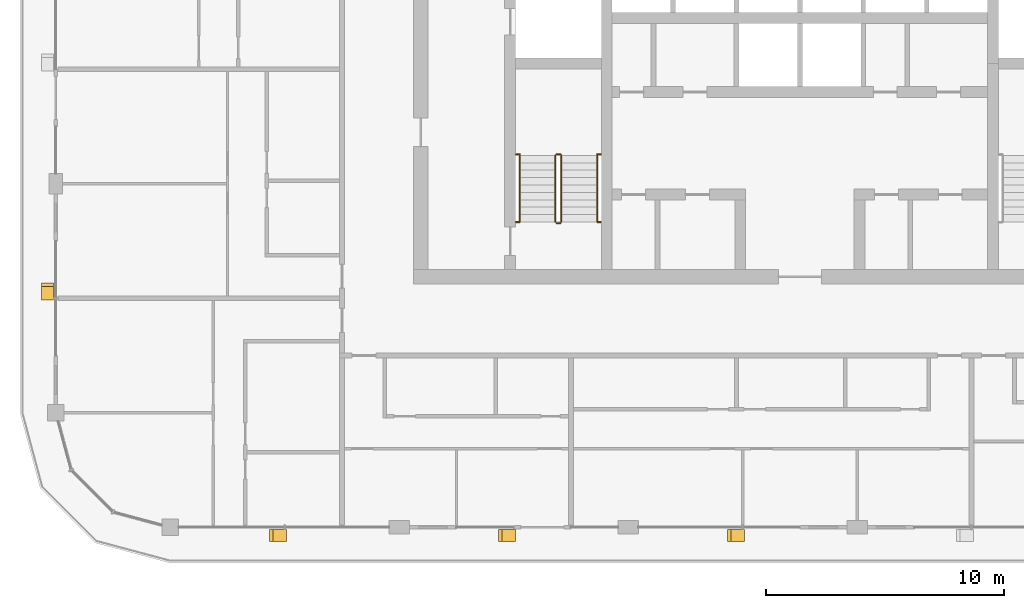
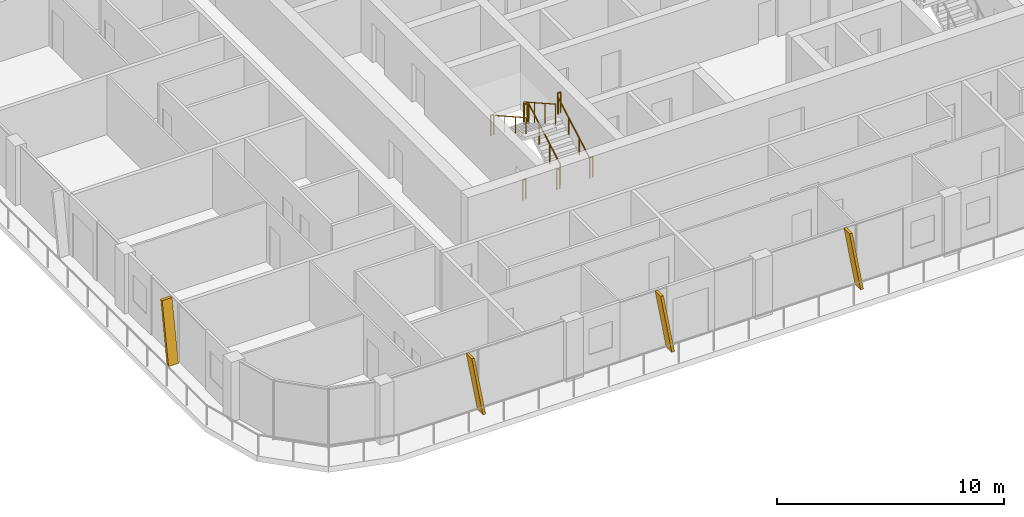
# One storey, part 17 of 22: 10 railings, 4 shading devices.
"""IFC4 building model written with IfcOpenShell, lengths in metres."""

from ifc_helpers import new_model, si_unit, direction, frame, origin, origin_2d, place, context, subcontext, project, spatial, polyline, circle, outline, extrude, material, type_object, element, save


model = new_model("IFC4")

# Units and contexts
model_context = context("Model", 3, precision=1e-05, world=origin(), true_north=direction((0.0, 1.0)))
body_context = subcontext(model_context, "Body", "Model", "MODEL_VIEW")
ifc_project = project(units=[si_unit("LENGTHUNIT", "METRE"), si_unit("AREAUNIT", "SQUARE_METRE"), si_unit("VOLUMEUNIT", "CUBIC_METRE"), si_unit("PLANEANGLEUNIT", "RADIAN"), si_unit("MASSUNIT", "GRAM", prefix="KILO")], contexts=[model_context])

# Site, building, storey
site_placement = place(None, origin())
site = spatial("IfcSite", under=ifc_project, at=site_placement, CompositionType="ELEMENT")
building_placement = place(site_placement, origin())
building = spatial("IfcBuilding", under=site, at=building_placement, Name="Madar Terraces", CompositionType="ELEMENT")
storey_placement = place(building_placement, frame((0.0, 0.0, 256.199951171875)))
storey = spatial("IfcBuildingStorey", under=building, at=storey_placement, Name="L67", CompositionType="ELEMENT", Elevation=256.199951171875)

# Shading devices
ifc_material_1 = material(Name="Aluminium, black anodised", Category="aluminium")
shading_device_type = type_object("IfcShadingDeviceType", Name="Facade fin blade 140 x 500", PredefinedType="USERDEFINED", material=ifc_material_1)
shading_device_1_placement = place(storey_placement, frame((9.530029296875, 4.449951171875, 0.0), z_axis=(0.0, 0.0, 1.0), x_axis=(1.0, 0.0, 0.0)))
element("IfcShadingDevice", 1, at=shading_device_1_placement, inside=storey, type_object=shading_device_type, Name="FIN L67 S1", ObjectType="FIN", PredefinedType="USERDEFINED", context=body_context, shape_type="SweptSolid", body=[
    extrude(outline(polyline([(0.0, 0.0), (0.139892578125, 0.0), (-0.42431640625, 3.199951171875), (-0.564208984375, 3.199951171875), (0.0, 0.0)])), frame((0.0, 0.25, 0.0), z_axis=(0.0, -1.0, 0.0), x_axis=(1.0, 0.0, 0.0)), (0.0, 0.0, 1.0), 0.5),
])
for number, where, z_axis, x_axis, name in (
    (2, (19.1298828125, 4.449951171875, 0.0), (0.0, 0.0, 1.0), (1.0, 0.0, 0.0), "FIN L67 S2"),
    (3, (28.72998046875, 4.449951171875, 0.0), (0.0, 0.0, 1.0), (1.0, 0.0, 0.0), "FIN L67 S3"),
):
    element("IfcShadingDevice", number, at=place(storey_placement, frame(where, z_axis=z_axis, x_axis=x_axis)), inside=storey, type_object=shading_device_type, Name=name, ObjectType="FIN", PredefinedType="USERDEFINED", context=body_context, shape_type="SweptSolid", body=[
        extrude(outline(polyline([(0.0, 0.0), (0.14013671875, 0.0), (-0.42431640625, 3.199951171875), (-0.564208984375, 3.199951171875), (0.0, 0.0)])), frame((0.0, 0.25, 0.0), z_axis=(0.0, -1.0, 0.0), x_axis=(1.0, 0.0, 0.0)), (0.0, 0.0, 1.0), 0.5),
    ])
shading_device_2_placement = place(storey_placement, frame((-0.35009765625, 14.469970703125, 0.0), z_axis=(0.0, 0.0, 1.0), x_axis=(0.0, -1.0, 0.0)))
element("IfcShadingDevice", 4, at=shading_device_2_placement, inside=storey, type_object=shading_device_type, Name="FIN L67 W4", ObjectType="FIN", PredefinedType="USERDEFINED", context=body_context, shape_type="SweptSolid", body=[
    extrude(outline(polyline([(0.0, 0.0), (0.139892578125, 0.0), (-0.42431640625, 3.199951171875), (-0.564208984375, 3.199951171875), (0.0, 0.0)])), frame((0.0, 0.25, 0.0), z_axis=(0.0, -1.0, 0.0), x_axis=(1.0, 0.0, 0.0)), (0.0, 0.0, 1.0), 0.5),
])

# Railings
ifc_material_2 = material(Name="Stainless steel railing", Category="steel")
railing_type_1 = type_object("IfcRailingType", Name="Stair guard 1100", PredefinedType="GUARDRAIL", material=ifc_material_2)
railing_1_placement = place(storey_placement, frame((21.199951171875, 17.60009765625, 0.175048828125)))
element("IfcRailing", 5, at=railing_1_placement, inside=storey, type_object=railing_type_1, Name="L67 ST1 stair guard 1", PredefinedType="GUARDRAIL", context=body_context, shape_type="SweptSolid", body=[
    extrude(circle(Radius=0.02392578125, at=origin_2d()), frame((0.0, 0.0, 1.076171875), z_axis=(0.0, 0.870815363784, 0.491610213684), x_axis=(-1.0, 0.0, 0.0)), (0.0, 0.0, 1.0), 3.20361328125),
    extrude(circle(Radius=0.02099609375, at=origin_2d()), origin(), (0.0, 0.0, 1.0), 1.052001953125),
    extrude(circle(Radius=0.02099609375, at=origin_2d()), frame((0.0, 0.929931640625, 0.52490234375)), (0.0, 0.0, 1.0), 1.052001953125),
    extrude(circle(Radius=0.02099609375, at=origin_2d()), frame((0.0, 1.85986328125, 1.050048828125)), (0.0, 0.0, 1.0), 1.052001953125),
    extrude(circle(Radius=0.02099609375, at=origin_2d()), frame((0.0, 2.789794921875, 1.574951171875)), (0.0, 0.0, 1.0), 1.052001953125),
])
railing_2_placement = place(storey_placement, frame((21.14990234375, 20.43994140625, 1.75)))
element("IfcRailing", 6, at=railing_2_placement, inside=storey, type_object=railing_type_1, Name="L67 ST1 stair guard 2", PredefinedType="GUARDRAIL", context=body_context, shape_type="SweptSolid", body=[
    extrude(circle(Radius=0.02392578125, at=origin_2d()), frame((0.0, 0.0, 1.076171875), z_axis=(-1.0, 0.0, 0.0), x_axis=(0.0, -1.0, 0.0)), (0.0, 0.0, 1.0), 0.14990234375),
    extrude(circle(Radius=0.02099609375, at=origin_2d()), origin(), (0.0, 0.0, 1.0), 1.052001953125),
    extrude(circle(Radius=0.02099609375, at=origin_2d()), frame((-0.14990234375, 0.0, 0.0)), (0.0, 0.0, 1.0), 1.052001953125),
])
railing_3_placement = place(storey_placement, frame((20.949951171875, 20.389892578125, 1.925048828125)))
element("IfcRailing", 7, at=railing_3_placement, inside=storey, type_object=railing_type_1, Name="L67 ST1 stair guard 3", PredefinedType="GUARDRAIL", context=body_context, shape_type="SweptSolid", body=[
    extrude(circle(Radius=0.02392578125, at=origin_2d()), frame((0.0, 0.0, 1.076171875), z_axis=(0.0, -0.870815363784, 0.491610213684), x_axis=(1.0, 0.0, 0.0)), (0.0, 0.0, 1.0), 3.20361328125),
    extrude(circle(Radius=0.02099609375, at=origin_2d()), origin(), (0.0, 0.0, 1.0), 1.052001953125),
    extrude(circle(Radius=0.02099609375, at=origin_2d()), frame((0.0, -0.929931640625, 0.52490234375)), (0.0, 0.0, 1.0), 1.052001953125),
    extrude(circle(Radius=0.02099609375, at=origin_2d()), frame((0.0, -1.85986328125, 1.050048828125)), (0.0, 0.0, 1.0), 1.052001953125),
    extrude(circle(Radius=0.02099609375, at=origin_2d()), frame((0.0, -2.789794921875, 1.574951171875)), (0.0, 0.0, 1.0), 1.052001953125),
])
railing_4_placement = place(storey_placement, frame((21.14990234375, 17.550048828125, 0.0)))
element("IfcRailing", 8, at=railing_4_placement, inside=storey, type_object=railing_type_1, Name="L67 ST1 stair guard 4", PredefinedType="GUARDRAIL", context=body_context, shape_type="SweptSolid", body=[
    extrude(circle(Radius=0.02392578125, at=origin_2d()), frame((0.0, 0.0, 1.076171875), z_axis=(-1.0, 0.0, 0.0), x_axis=(0.0, -1.0, 0.0)), (0.0, 0.0, 1.0), 0.14990234375),
    extrude(circle(Radius=0.02099609375, at=origin_2d()), origin(), (0.0, 0.0, 1.0), 1.052001953125),
    extrude(circle(Radius=0.02099609375, at=origin_2d()), frame((-0.14990234375, 0.0, 0.0)), (0.0, 0.0, 1.0), 1.052001953125),
])
for number, where, name in (
    (9, (19.294921875, 20.43994140625, 1.75), "L67 stair guard seat 1"),
    (10, (22.699951171875, 20.43994140625, 1.75), "L67 stair guard seat 2"),
    (11, (19.294921875, 17.60009765625, 0.0), "L67 stair guard floor 1"),
    (12, (22.699951171875, 17.60009765625, 0.0), "L67 stair guard floor 2"),
):
    element("IfcRailing", number, at=place(storey_placement, frame(where)), inside=storey, type_object=railing_type_1, Name=name, PredefinedType="GUARDRAIL", context=body_context, shape_type="SweptSolid", body=[
        extrude(circle(Radius=0.02392578125, at=origin_2d()), frame((0.0, 0.0, 1.076171875), z_axis=(1.0, 0.0, 0.0), x_axis=(0.0, 1.0, 0.0)), (0.0, 0.0, 1.0), 0.155029296875),
        extrude(circle(Radius=0.02099609375, at=origin_2d()), origin(), (0.0, 0.0, 1.0), 1.052001953125),
        extrude(circle(Radius=0.02099609375, at=origin_2d()), frame((0.155029296875, 0.0, 0.0)), (0.0, 0.0, 1.0), 1.052001953125),
    ])
ifc_material_3 = material(Name="Stainless steel railing", Category="steel")
railing_type_2 = type_object("IfcRailingType", Name="Stair handrail 900", PredefinedType="HANDRAIL", material=ifc_material_3)
railing_5_placement = place(storey_placement, frame((22.699951171875, 17.60009765625, 0.175048828125)))
element("IfcRailing", 13, at=railing_5_placement, inside=storey, type_object=railing_type_2, Name="L67 ST1 stair handrail 1", PredefinedType="HANDRAIL", context=body_context, shape_type="SweptSolid", body=[
    extrude(circle(Radius=0.02392578125, at=origin_2d()), frame((0.0, 0.0, 0.8759765625), z_axis=(0.0, 0.870815363784, 0.491610213684), x_axis=(-1.0, 0.0, 0.0)), (0.0, 0.0, 1.0), 3.20361328125),
    extrude(circle(Radius=0.02099609375, at=origin_2d()), origin(), (0.0, 0.0, 1.0), 0.851806640625),
    extrude(circle(Radius=0.02099609375, at=origin_2d()), frame((0.0, 0.929931640625, 0.52490234375)), (0.0, 0.0, 1.0), 0.851806640625),
    extrude(circle(Radius=0.02099609375, at=origin_2d()), frame((0.0, 1.85986328125, 1.050048828125)), (0.0, 0.0, 1.0), 0.851806640625),
    extrude(circle(Radius=0.02099609375, at=origin_2d()), frame((0.0, 2.789794921875, 1.574951171875)), (0.0, 0.0, 1.0), 0.851806640625),
])
railing_6_placement = place(storey_placement, frame((19.449951171875, 20.389892578125, 1.925048828125)))
element("IfcRailing", 14, at=railing_6_placement, inside=storey, type_object=railing_type_2, Name="L67 ST1 stair handrail 2", PredefinedType="HANDRAIL", context=body_context, shape_type="SweptSolid", body=[
    extrude(circle(Radius=0.02392578125, at=origin_2d()), frame((0.0, 0.0, 0.8759765625), z_axis=(0.0, -0.870815363784, 0.491610213684), x_axis=(1.0, 0.0, 0.0)), (0.0, 0.0, 1.0), 3.20361328125),
    extrude(circle(Radius=0.02099609375, at=origin_2d()), origin(), (0.0, 0.0, 1.0), 0.851806640625),
    extrude(circle(Radius=0.02099609375, at=origin_2d()), frame((0.0, -0.929931640625, 0.52490234375)), (0.0, 0.0, 1.0), 0.851806640625),
    extrude(circle(Radius=0.02099609375, at=origin_2d()), frame((0.0, -1.85986328125, 1.050048828125)), (0.0, 0.0, 1.0), 0.851806640625),
    extrude(circle(Radius=0.02099609375, at=origin_2d()), frame((0.0, -2.789794921875, 1.574951171875)), (0.0, 0.0, 1.0), 0.851806640625),
])

save(model, "model.ifc")
